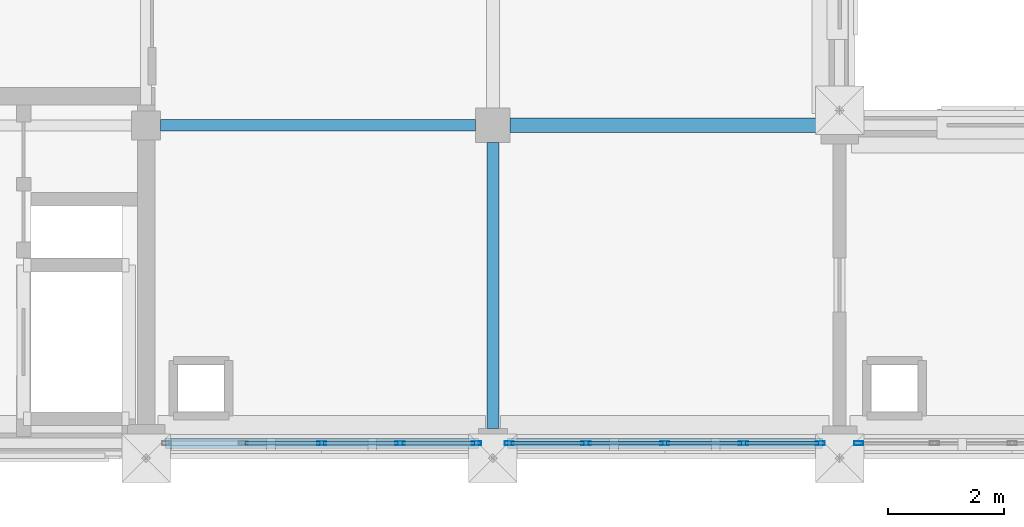
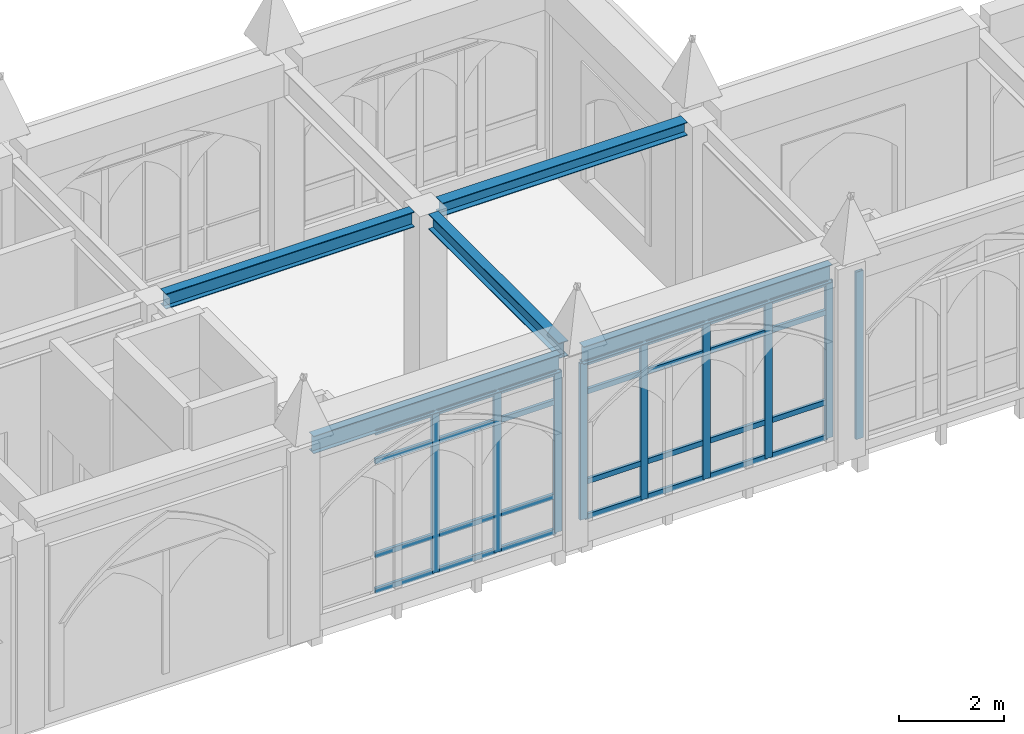
# One storey, part 9 of 143: 37 members, 5 beams, 3 elements without a shape of their own.
"""IFC4 building model written with IfcOpenShell, lengths in metres."""

from ifc_helpers import new_model, si_unit, direction, frame, origin, origin_2d, place, context, subcontext, project, spatial, hollow_rectangle, i_section, extrude, material, layer, layer_set, material_profile, profile_set, type_object, element, aggregate, save


model = new_model("IFC4")

# Units and contexts
model_context = context("Model", 3, precision=1e-05, world=origin(), true_north=direction((0.0, 1.0)))
body_context = subcontext(model_context, "Body", "Model", "MODEL_VIEW")
ifc_project = project(units=[si_unit("LENGTHUNIT", "METRE"), si_unit("AREAUNIT", "SQUARE_METRE"), si_unit("VOLUMEUNIT", "CUBIC_METRE"), si_unit("PLANEANGLEUNIT", "RADIAN"), si_unit("MASSUNIT", "GRAM", prefix="KILO")], contexts=[model_context])

# Site, building, storey
site_placement = place(None, origin())
site = spatial("IfcSite", under=ifc_project, at=site_placement, CompositionType="ELEMENT")
building_placement = place(site_placement, origin())
building = spatial("IfcBuilding", under=site, at=building_placement, Name="Cumevento Cable Car Station", CompositionType="ELEMENT")
storey_placement = place(building_placement, frame((0.0, 0.0, 9.0)))
storey = spatial("IfcBuildingStorey", under=building, at=storey_placement, Name="L03", CompositionType="ELEMENT", Elevation=9.0)

# Curtain wall, members
ifc_material_1 = material(Name="Anodised Bronze Aluminium AW-6063-T6", Category="aluminium")
ifc_layer_1 = layer(ifc_material_1, 0.18408203125)
ifc_layer_set_1 = layer_set([ifc_layer_1], Name="Anodised Bronze Aluminium AW-6063-T6")
curtain_wall_type_1 = type_object("IfcCurtainWallType", Name="Lancet Curtain Wall CW-05 1210", PredefinedType="NOTDEFINED", material=ifc_layer_set_1)
curtain_wall_1_placement = place(storey_placement, origin())
curtain_wall_1 = element("IfcCurtainWall", 1, at=curtain_wall_1_placement, inside=storey, type_object=curtain_wall_type_1, Name="Lancet Curtain Wall CW-05 L03 #68", PredefinedType="NOTDEFINED")
ifc_material_2 = material(Name="Anodised Bronze Aluminium AW-6063-T6", Category="aluminium")
ifc_material_profile_1 = material_profile(ifc_material_2, hollow_rectangle(XDim=0.06494140625, YDim=0.159912109375, WallThickness=0.00390625, at=origin_2d()), Name="ALUM65x160x4")
ifc_profile_set_1 = profile_set([ifc_material_profile_1], Name="Anodised Bronze Aluminium AW-6063-T6")
member_type_1 = type_object("IfcMemberType", Name="Curtain Mullion CWM-01 ALUM65x160x4", PredefinedType="MULLION", material=ifc_profile_set_1)
member_1_placement = place(storey_placement, frame((39.717529296875, 4.0, 0.360107421875), z_axis=(0.0, 0.0, 1.0), x_axis=(0.0, -1.0, 0.0)))
member_1 = element("IfcMember", 2, at=member_1_placement, type_object=member_type_1, Name="CW-05 mullion 1", PredefinedType="MULLION", context=body_context, shape_type="SweptSolid", body=[
    extrude(hollow_rectangle(XDim=0.06494140625, YDim=0.159912109375, WallThickness=0.00390625, at=origin_2d()), origin(), (0.0, 0.0, 1.0), 3.73291015625),
])
member_2_placement = place(storey_placement, frame((38.393798828125, 4.0, 0.360107421875), z_axis=(0.0, 0.0, 1.0), x_axis=(0.0, -1.0, 0.0)))
member_2 = element("IfcMember", 3, at=member_2_placement, type_object=member_type_1, Name="CW-05 mullion 2", PredefinedType="MULLION", context=body_context, shape_type="SweptSolid", body=[
    extrude(hollow_rectangle(XDim=0.06494140625, YDim=0.159912109375, WallThickness=0.00390625, at=origin_2d()), origin(), (0.0, 0.0, 1.0), 3.73291015625),
])
member_3_placement = place(storey_placement, frame((37.03759765625, 4.0, 0.360107421875), z_axis=(0.0, 0.0, 1.0), x_axis=(0.0, -1.0, 0.0)))
member_3 = element("IfcMember", 4, at=member_3_placement, type_object=member_type_1, Name="CW-05 mullion 3", PredefinedType="MULLION", context=body_context, shape_type="SweptSolid", body=[
    extrude(hollow_rectangle(XDim=0.06494140625, YDim=0.159912109375, WallThickness=0.00390625, at=origin_2d()), origin(), (0.0, 0.0, 1.0), 3.73291015625),
])

ifc_material_3 = material(Name="Anodised Bronze Aluminium AW-6063-T6", Category="aluminium")
ifc_layer_2 = layer(ifc_material_3, 0.196044921875)
ifc_layer_set_2 = layer_set([ifc_layer_2], Name="Anodised Bronze Aluminium AW-6063-T6")
curtain_wall_type_2 = type_object("IfcCurtainWallType", Name="Lancet Curtain Wall CW-07 1290", PredefinedType="NOTDEFINED", material=ifc_layer_set_2)
curtain_wall_2_placement = place(storey_placement, origin())
curtain_wall_2 = element("IfcCurtainWall", 5, at=curtain_wall_2_placement, inside=storey, type_object=curtain_wall_type_2, Name="Lancet Curtain Wall CW-07 L03 #70", PredefinedType="NOTDEFINED")
member_4_placement = place(storey_placement, frame((45.66748046875, 4.0, 0.4599609375), z_axis=(0.0, 0.0, 1.0), x_axis=(0.0, -1.0, 0.0)))
member_4 = element("IfcMember", 6, at=member_4_placement, type_object=member_type_1, Name="CW-07 mullion 1", PredefinedType="MULLION", context=body_context, shape_type="SweptSolid", body=[
    extrude(hollow_rectangle(XDim=0.06494140625, YDim=0.159912109375, WallThickness=0.00390625, at=origin_2d()), origin(), (0.0, 0.0, 1.0), 3.633056640625),
])
member_5_placement = place(storey_placement, frame((44.33740234375, 4.0, 0.4599609375), z_axis=(0.0, 0.0, 1.0), x_axis=(0.0, -1.0, 0.0)))
member_5 = element("IfcMember", 7, at=member_5_placement, type_object=member_type_1, Name="CW-07 mullion 2", PredefinedType="MULLION", context=body_context, shape_type="SweptSolid", body=[
    extrude(hollow_rectangle(XDim=0.06494140625, YDim=0.159912109375, WallThickness=0.00390625, at=origin_2d()), origin(), (0.0, 0.0, 1.0), 3.633056640625),
])
member_6_placement = place(storey_placement, frame((42.97509765625, 4.0, 0.4599609375), z_axis=(0.0, 0.0, 1.0), x_axis=(0.0, -1.0, 0.0)))
member_6 = element("IfcMember", 8, at=member_6_placement, type_object=member_type_1, Name="CW-07 mullion 3", PredefinedType="MULLION", context=body_context, shape_type="SweptSolid", body=[
    extrude(hollow_rectangle(XDim=0.06494140625, YDim=0.159912109375, WallThickness=0.00390625, at=origin_2d()), origin(), (0.0, 0.0, 1.0), 3.633056640625),
])
member_7_placement = place(storey_placement, frame((41.612548828125, 4.0, 0.4599609375), z_axis=(0.0, 0.0, 1.0), x_axis=(0.0, -1.0, 0.0)))
member_7 = element("IfcMember", 9, at=member_7_placement, type_object=member_type_1, Name="CW-07 mullion 4", PredefinedType="MULLION", context=body_context, shape_type="SweptSolid", body=[
    extrude(hollow_rectangle(XDim=0.06494140625, YDim=0.159912109375, WallThickness=0.00390625, at=origin_2d()), origin(), (0.0, 0.0, 1.0), 3.633056640625),
])
member_8_placement = place(storey_placement, frame((40.282470703125, 4.0, 0.4599609375), z_axis=(0.0, 0.0, 1.0), x_axis=(0.0, -1.0, 0.0)))
member_8 = element("IfcMember", 10, at=member_8_placement, type_object=member_type_1, Name="CW-07 mullion 5", PredefinedType="MULLION", context=body_context, shape_type="SweptSolid", body=[
    extrude(hollow_rectangle(XDim=0.06494140625, YDim=0.159912109375, WallThickness=0.00390625, at=origin_2d()), origin(), (0.0, 0.0, 1.0), 3.633056640625),
])

# Curtain wall, member
ifc_material_4 = material(Name="Anodised Bronze Aluminium AW-6063-T6", Category="aluminium")
ifc_layer_3 = layer(ifc_material_4, 0.214111328125)
ifc_layer_set_3 = layer_set([ifc_layer_3], Name="Anodised Bronze Aluminium AW-6063-T6")
curtain_wall_type_3 = type_object("IfcCurtainWallType", Name="Lancet Curtain Wall CW-10 1410", PredefinedType="NOTDEFINED", material=ifc_layer_set_3)
curtain_wall_3_placement = place(storey_placement, origin())
curtain_wall_3 = element("IfcCurtainWall", 11, at=curtain_wall_3_placement, inside=storey, type_object=curtain_wall_type_3, Name="Lancet Curtain Wall CW-10 L03 #73", PredefinedType="NOTDEFINED")
member_9_placement = place(storey_placement, frame((46.33251953125, 4.0, 0.2099609375), z_axis=(0.0, 0.0, 1.0), x_axis=(0.0, -1.0, 0.0)))
member_9 = element("IfcMember", 12, at=member_9_placement, type_object=member_type_1, Name="CW-10 mullion 5", PredefinedType="MULLION", context=body_context, shape_type="SweptSolid", body=[
    extrude(hollow_rectangle(XDim=0.06494140625, YDim=0.159912109375, WallThickness=0.00390625, at=origin_2d()), origin(), (0.0, 0.0, 1.0), 3.883056640625),
])
aggregate(curtain_wall_3, [member_9])

# Member
ifc_material_5 = material(Name="Anodised Bronze Aluminium AW-6063-T6", Category="aluminium")
ifc_material_profile_2 = material_profile(ifc_material_5, hollow_rectangle(XDim=0.06494140625, YDim=0.1201171875, WallThickness=0.00390625, at=origin_2d()), Name="ALUT65x120x4")
ifc_profile_set_2 = profile_set([ifc_material_profile_2], Name="Anodised Bronze Aluminium AW-6063-T6")
member_type_2 = type_object("IfcMemberType", Name="Curtain Transom CWT-01 ALUT65x120x4", PredefinedType="USERDEFINED", material=ifc_profile_set_2)
member_10_placement = place(storey_placement, frame((39.68505859375, 4.0, 0.392578125), z_axis=(-1.0, 0.0, 0.0), x_axis=(0.0, -1.0, 0.0)))
member_10 = element("IfcMember", 13, at=member_10_placement, type_object=member_type_2, Name="CW-05 transom 1.1", ObjectType="TRANSOM", PredefinedType="USERDEFINED", context=body_context, shape_type="SweptSolid", body=[
    extrude(hollow_rectangle(XDim=0.06494140625, YDim=0.1201171875, WallThickness=0.00390625, at=origin_2d()), origin(), (0.0, 0.0, 1.0), 1.2587890625),
])

member_11_placement = place(storey_placement, frame((39.68505859375, 4.0, 1.2099609375), z_axis=(-1.0, 0.0, 0.0), x_axis=(0.0, -1.0, 0.0)))
member_11 = element("IfcMember", 14, at=member_11_placement, type_object=member_type_2, Name="CW-05 transom 1.2", ObjectType="TRANSOM", PredefinedType="USERDEFINED", context=body_context, shape_type="SweptSolid", body=[
    extrude(hollow_rectangle(XDim=0.06494140625, YDim=0.1201171875, WallThickness=0.00390625, at=origin_2d()), origin(), (0.0, 0.0, 1.0), 1.2587890625),
])

member_12_placement = place(storey_placement, frame((39.68505859375, 4.0, 3.39306640625), z_axis=(-1.0, 0.0, 0.0), x_axis=(0.0, -1.0, 0.0)))
member_12 = element("IfcMember", 15, at=member_12_placement, type_object=member_type_2, Name="CW-05 transom 1.3", ObjectType="TRANSOM", PredefinedType="USERDEFINED", context=body_context, shape_type="SweptSolid", body=[
    extrude(hollow_rectangle(XDim=0.06494140625, YDim=0.1201171875, WallThickness=0.00390625, at=origin_2d()), origin(), (0.0, 0.0, 1.0), 1.2587890625),
])

member_13_placement = place(storey_placement, frame((39.68505859375, 4.0, 4.060546875), z_axis=(-1.0, 0.0, 0.0), x_axis=(0.0, -1.0, 0.0)))
member_13 = element("IfcMember", 16, at=member_13_placement, type_object=member_type_2, Name="CW-05 transom 1.4", ObjectType="TRANSOM", PredefinedType="USERDEFINED", context=body_context, shape_type="SweptSolid", body=[
    extrude(hollow_rectangle(XDim=0.06494140625, YDim=0.1201171875, WallThickness=0.00390625, at=origin_2d()), origin(), (0.0, 0.0, 1.0), 1.2587890625),
])

member_14_placement = place(storey_placement, frame((38.361328125, 4.0, 0.392578125), z_axis=(-1.0, 0.0, 0.0), x_axis=(0.0, -1.0, 0.0)))
member_14 = element("IfcMember", 17, at=member_14_placement, type_object=member_type_2, Name="CW-05 transom 2.1", ObjectType="TRANSOM", PredefinedType="USERDEFINED", context=body_context, shape_type="SweptSolid", body=[
    extrude(hollow_rectangle(XDim=0.06494140625, YDim=0.1201171875, WallThickness=0.00390625, at=origin_2d()), origin(), (0.0, 0.0, 1.0), 1.291259765625),
])

member_15_placement = place(storey_placement, frame((38.361328125, 4.0, 1.2099609375), z_axis=(-1.0, 0.0, 0.0), x_axis=(0.0, -1.0, 0.0)))
member_15 = element("IfcMember", 18, at=member_15_placement, type_object=member_type_2, Name="CW-05 transom 2.2", ObjectType="TRANSOM", PredefinedType="USERDEFINED", context=body_context, shape_type="SweptSolid", body=[
    extrude(hollow_rectangle(XDim=0.06494140625, YDim=0.1201171875, WallThickness=0.00390625, at=origin_2d()), origin(), (0.0, 0.0, 1.0), 1.291259765625),
])

member_16_placement = place(storey_placement, frame((38.361328125, 4.0, 3.39306640625), z_axis=(-1.0, 0.0, 0.0), x_axis=(0.0, -1.0, 0.0)))
member_16 = element("IfcMember", 19, at=member_16_placement, type_object=member_type_2, Name="CW-05 transom 2.3", ObjectType="TRANSOM", PredefinedType="USERDEFINED", context=body_context, shape_type="SweptSolid", body=[
    extrude(hollow_rectangle(XDim=0.06494140625, YDim=0.1201171875, WallThickness=0.00390625, at=origin_2d()), origin(), (0.0, 0.0, 1.0), 1.291259765625),
])

member_17_placement = place(storey_placement, frame((38.361328125, 4.0, 4.060546875), z_axis=(-1.0, 0.0, 0.0), x_axis=(0.0, -1.0, 0.0)))
member_17 = element("IfcMember", 20, at=member_17_placement, type_object=member_type_2, Name="CW-05 transom 2.4", ObjectType="TRANSOM", PredefinedType="USERDEFINED", context=body_context, shape_type="SweptSolid", body=[
    extrude(hollow_rectangle(XDim=0.06494140625, YDim=0.1201171875, WallThickness=0.00390625, at=origin_2d()), origin(), (0.0, 0.0, 1.0), 1.291259765625),
])

member_18_placement = place(storey_placement, frame((37.0048828125, 4.0, 0.392578125), z_axis=(-1.0, 0.0, 0.0), x_axis=(0.0, -1.0, 0.0)))
member_18 = element("IfcMember", 21, at=member_18_placement, type_object=member_type_2, Name="CW-05 transom 3.1", ObjectType="TRANSOM", PredefinedType="USERDEFINED", context=body_context, shape_type="SweptSolid", body=[
    extrude(hollow_rectangle(XDim=0.06494140625, YDim=0.1201171875, WallThickness=0.00390625, at=origin_2d()), origin(), (0.0, 0.0, 1.0), 1.291015625),
])

member_19_placement = place(storey_placement, frame((37.0048828125, 4.0, 1.2099609375), z_axis=(-1.0, 0.0, 0.0), x_axis=(0.0, -1.0, 0.0)))
member_19 = element("IfcMember", 22, at=member_19_placement, type_object=member_type_2, Name="CW-05 transom 3.2", ObjectType="TRANSOM", PredefinedType="USERDEFINED", context=body_context, shape_type="SweptSolid", body=[
    extrude(hollow_rectangle(XDim=0.06494140625, YDim=0.1201171875, WallThickness=0.00390625, at=origin_2d()), origin(), (0.0, 0.0, 1.0), 1.291015625),
])

member_20_placement = place(storey_placement, frame((37.0048828125, 4.0, 3.39306640625), z_axis=(-1.0, 0.0, 0.0), x_axis=(0.0, -1.0, 0.0)))
member_20 = element("IfcMember", 23, at=member_20_placement, type_object=member_type_2, Name="CW-05 transom 3.3", ObjectType="TRANSOM", PredefinedType="USERDEFINED", context=body_context, shape_type="SweptSolid", body=[
    extrude(hollow_rectangle(XDim=0.06494140625, YDim=0.1201171875, WallThickness=0.00390625, at=origin_2d()), origin(), (0.0, 0.0, 1.0), 1.291015625),
])

member_21_placement = place(storey_placement, frame((37.0048828125, 4.0, 4.060546875), z_axis=(-1.0, 0.0, 0.0), x_axis=(0.0, -1.0, 0.0)))
member_21 = element("IfcMember", 24, at=member_21_placement, type_object=member_type_2, Name="CW-05 transom 3.4", ObjectType="TRANSOM", PredefinedType="USERDEFINED", context=body_context, shape_type="SweptSolid", body=[
    extrude(hollow_rectangle(XDim=0.06494140625, YDim=0.1201171875, WallThickness=0.00390625, at=origin_2d()), origin(), (0.0, 0.0, 1.0), 1.291015625),
])

aggregate(curtain_wall_1, [member_1, member_2, member_3, member_10, member_11, member_12, member_13, member_14, member_15, member_16, member_17, member_18, member_19, member_20, member_21])

member_22_placement = place(storey_placement, frame((45.635009765625, 4.0, 0.492431640625), z_axis=(-1.0, 0.0, 0.0), x_axis=(0.0, -1.0, 0.0)))
member_22 = element("IfcMember", 25, at=member_22_placement, type_object=member_type_2, Name="CW-07 transom 1.1", ObjectType="TRANSOM", PredefinedType="USERDEFINED", context=body_context, shape_type="SweptSolid", body=[
    extrude(hollow_rectangle(XDim=0.06494140625, YDim=0.1201171875, WallThickness=0.00390625, at=origin_2d()), origin(), (0.0, 0.0, 1.0), 1.264892578125),
])

member_23_placement = place(storey_placement, frame((45.635009765625, 4.0, 1.31005859375), z_axis=(-1.0, 0.0, 0.0), x_axis=(0.0, -1.0, 0.0)))
member_23 = element("IfcMember", 26, at=member_23_placement, type_object=member_type_2, Name="CW-07 transom 1.2", ObjectType="TRANSOM", PredefinedType="USERDEFINED", context=body_context, shape_type="SweptSolid", body=[
    extrude(hollow_rectangle(XDim=0.06494140625, YDim=0.1201171875, WallThickness=0.00390625, at=origin_2d()), origin(), (0.0, 0.0, 1.0), 1.264892578125),
])

member_24_placement = place(storey_placement, frame((45.635009765625, 4.0, 3.39306640625), z_axis=(-1.0, 0.0, 0.0), x_axis=(0.0, -1.0, 0.0)))
member_24 = element("IfcMember", 27, at=member_24_placement, type_object=member_type_2, Name="CW-07 transom 1.3", ObjectType="TRANSOM", PredefinedType="USERDEFINED", context=body_context, shape_type="SweptSolid", body=[
    extrude(hollow_rectangle(XDim=0.06494140625, YDim=0.1201171875, WallThickness=0.00390625, at=origin_2d()), origin(), (0.0, 0.0, 1.0), 1.264892578125),
])

member_25_placement = place(storey_placement, frame((45.635009765625, 4.0, 4.060546875), z_axis=(-1.0, 0.0, 0.0), x_axis=(0.0, -1.0, 0.0)))
member_25 = element("IfcMember", 28, at=member_25_placement, type_object=member_type_2, Name="CW-07 transom 1.4", ObjectType="TRANSOM", PredefinedType="USERDEFINED", context=body_context, shape_type="SweptSolid", body=[
    extrude(hollow_rectangle(XDim=0.06494140625, YDim=0.1201171875, WallThickness=0.00390625, at=origin_2d()), origin(), (0.0, 0.0, 1.0), 1.264892578125),
])

member_26_placement = place(storey_placement, frame((44.304931640625, 4.0, 0.492431640625), z_axis=(-1.0, 0.0, 0.0), x_axis=(0.0, -1.0, 0.0)))
member_26 = element("IfcMember", 29, at=member_26_placement, type_object=member_type_2, Name="CW-07 transom 2.1", ObjectType="TRANSOM", PredefinedType="USERDEFINED", context=body_context, shape_type="SweptSolid", body=[
    extrude(hollow_rectangle(XDim=0.06494140625, YDim=0.1201171875, WallThickness=0.00390625, at=origin_2d()), origin(), (0.0, 0.0, 1.0), 1.29736328125),
])

member_27_placement = place(storey_placement, frame((44.304931640625, 4.0, 1.31005859375), z_axis=(-1.0, 0.0, 0.0), x_axis=(0.0, -1.0, 0.0)))
member_27 = element("IfcMember", 30, at=member_27_placement, type_object=member_type_2, Name="CW-07 transom 2.2", ObjectType="TRANSOM", PredefinedType="USERDEFINED", context=body_context, shape_type="SweptSolid", body=[
    extrude(hollow_rectangle(XDim=0.06494140625, YDim=0.1201171875, WallThickness=0.00390625, at=origin_2d()), origin(), (0.0, 0.0, 1.0), 1.29736328125),
])

member_28_placement = place(storey_placement, frame((44.304931640625, 4.0, 3.39306640625), z_axis=(-1.0, 0.0, 0.0), x_axis=(0.0, -1.0, 0.0)))
member_28 = element("IfcMember", 31, at=member_28_placement, type_object=member_type_2, Name="CW-07 transom 2.3", ObjectType="TRANSOM", PredefinedType="USERDEFINED", context=body_context, shape_type="SweptSolid", body=[
    extrude(hollow_rectangle(XDim=0.06494140625, YDim=0.1201171875, WallThickness=0.00390625, at=origin_2d()), origin(), (0.0, 0.0, 1.0), 1.29736328125),
])

member_29_placement = place(storey_placement, frame((44.304931640625, 4.0, 4.060546875), z_axis=(-1.0, 0.0, 0.0), x_axis=(0.0, -1.0, 0.0)))
member_29 = element("IfcMember", 32, at=member_29_placement, type_object=member_type_2, Name="CW-07 transom 2.4", ObjectType="TRANSOM", PredefinedType="USERDEFINED", context=body_context, shape_type="SweptSolid", body=[
    extrude(hollow_rectangle(XDim=0.06494140625, YDim=0.1201171875, WallThickness=0.00390625, at=origin_2d()), origin(), (0.0, 0.0, 1.0), 1.29736328125),
])

member_30_placement = place(storey_placement, frame((42.9423828125, 4.0, 0.492431640625), z_axis=(-1.0, 0.0, 0.0), x_axis=(0.0, -1.0, 0.0)))
member_30 = element("IfcMember", 33, at=member_30_placement, type_object=member_type_2, Name="CW-07 transom 3.1", ObjectType="TRANSOM", PredefinedType="USERDEFINED", context=body_context, shape_type="SweptSolid", body=[
    extrude(hollow_rectangle(XDim=0.06494140625, YDim=0.1201171875, WallThickness=0.00390625, at=origin_2d()), origin(), (0.0, 0.0, 1.0), 1.29736328125),
])

member_31_placement = place(storey_placement, frame((42.9423828125, 4.0, 1.31005859375), z_axis=(-1.0, 0.0, 0.0), x_axis=(0.0, -1.0, 0.0)))
member_31 = element("IfcMember", 34, at=member_31_placement, type_object=member_type_2, Name="CW-07 transom 3.2", ObjectType="TRANSOM", PredefinedType="USERDEFINED", context=body_context, shape_type="SweptSolid", body=[
    extrude(hollow_rectangle(XDim=0.06494140625, YDim=0.1201171875, WallThickness=0.00390625, at=origin_2d()), origin(), (0.0, 0.0, 1.0), 1.29736328125),
])

member_32_placement = place(storey_placement, frame((42.9423828125, 4.0, 3.39306640625), z_axis=(-1.0, 0.0, 0.0), x_axis=(0.0, -1.0, 0.0)))
member_32 = element("IfcMember", 35, at=member_32_placement, type_object=member_type_2, Name="CW-07 transom 3.3", ObjectType="TRANSOM", PredefinedType="USERDEFINED", context=body_context, shape_type="SweptSolid", body=[
    extrude(hollow_rectangle(XDim=0.06494140625, YDim=0.1201171875, WallThickness=0.00390625, at=origin_2d()), origin(), (0.0, 0.0, 1.0), 1.29736328125),
])

member_33_placement = place(storey_placement, frame((42.9423828125, 4.0, 4.060546875), z_axis=(-1.0, 0.0, 0.0), x_axis=(0.0, -1.0, 0.0)))
member_33 = element("IfcMember", 36, at=member_33_placement, type_object=member_type_2, Name="CW-07 transom 3.4", ObjectType="TRANSOM", PredefinedType="USERDEFINED", context=body_context, shape_type="SweptSolid", body=[
    extrude(hollow_rectangle(XDim=0.06494140625, YDim=0.1201171875, WallThickness=0.00390625, at=origin_2d()), origin(), (0.0, 0.0, 1.0), 1.29736328125),
])

member_34_placement = place(storey_placement, frame((41.580078125, 4.0, 0.492431640625), z_axis=(-1.0, 0.0, 0.0), x_axis=(0.0, -1.0, 0.0)))
member_34 = element("IfcMember", 37, at=member_34_placement, type_object=member_type_2, Name="CW-07 transom 4.1", ObjectType="TRANSOM", PredefinedType="USERDEFINED", context=body_context, shape_type="SweptSolid", body=[
    extrude(hollow_rectangle(XDim=0.06494140625, YDim=0.1201171875, WallThickness=0.00390625, at=origin_2d()), origin(), (0.0, 0.0, 1.0), 1.26513671875),
])

member_35_placement = place(storey_placement, frame((41.580078125, 4.0, 1.31005859375), z_axis=(-1.0, 0.0, 0.0), x_axis=(0.0, -1.0, 0.0)))
member_35 = element("IfcMember", 38, at=member_35_placement, type_object=member_type_2, Name="CW-07 transom 4.2", ObjectType="TRANSOM", PredefinedType="USERDEFINED", context=body_context, shape_type="SweptSolid", body=[
    extrude(hollow_rectangle(XDim=0.06494140625, YDim=0.1201171875, WallThickness=0.00390625, at=origin_2d()), origin(), (0.0, 0.0, 1.0), 1.26513671875),
])

member_36_placement = place(storey_placement, frame((41.580078125, 4.0, 3.39306640625), z_axis=(-1.0, 0.0, 0.0), x_axis=(0.0, -1.0, 0.0)))
member_36 = element("IfcMember", 39, at=member_36_placement, type_object=member_type_2, Name="CW-07 transom 4.3", ObjectType="TRANSOM", PredefinedType="USERDEFINED", context=body_context, shape_type="SweptSolid", body=[
    extrude(hollow_rectangle(XDim=0.06494140625, YDim=0.1201171875, WallThickness=0.00390625, at=origin_2d()), origin(), (0.0, 0.0, 1.0), 1.26513671875),
])

member_37_placement = place(storey_placement, frame((41.580078125, 4.0, 4.060546875), z_axis=(-1.0, 0.0, 0.0), x_axis=(0.0, -1.0, 0.0)))
member_37 = element("IfcMember", 40, at=member_37_placement, type_object=member_type_2, Name="CW-07 transom 4.4", ObjectType="TRANSOM", PredefinedType="USERDEFINED", context=body_context, shape_type="SweptSolid", body=[
    extrude(hollow_rectangle(XDim=0.06494140625, YDim=0.1201171875, WallThickness=0.00390625, at=origin_2d()), origin(), (0.0, 0.0, 1.0), 1.26513671875),
])

aggregate(curtain_wall_2, [member_4, member_5, member_6, member_7, member_8, member_22, member_23, member_24, member_25, member_26, member_27, member_28, member_29, member_30, member_31, member_32, member_33, member_34, member_35, member_36, member_37])

# Beams
ifc_material_6 = material(Name="Steel ASTM A572 Grade 50", Category="steel")
ifc_material_profile_3 = material_profile(ifc_material_6, i_section(OverallWidth=0.205078125, OverallDepth=0.35400390625, WebThickness=0.009521484375, FlangeThickness=0.016845703125, at=origin_2d()), Name="W360x79.0")
ifc_profile_set_3 = profile_set([ifc_material_profile_3], Name="Steel ASTM A572 Grade 50")
beam_type_1 = type_object("IfcBeamType", Name="Structural Beam BM-05 W360x79.0", PredefinedType="BEAM", material=ifc_profile_set_3)
beam_1_placement = place(storey_placement, frame((34.25, 9.5, 4.322998046875), z_axis=(1.0, 0.0, 0.0), x_axis=(0.0, 1.0, 0.0)))
element("IfcBeam", 41, at=beam_1_placement, inside=storey, type_object=beam_type_1, Name="Beam BM-05 L03 #930", PredefinedType="BEAM", context=body_context, shape_type="SweptSolid", body=[
    extrude(i_section(OverallWidth=0.205078125, OverallDepth=0.35400390625, WebThickness=0.009521484375, FlangeThickness=0.016845703125, at=origin_2d()), origin(), (0.0, 0.0, 1.0), 5.449951171875),
])
beam_2_placement = place(storey_placement, frame((40.0, 4.25, 4.322998046875), z_axis=(0.0, 1.0, 0.0), x_axis=(-1.0, 0.0, 0.0)))
element("IfcBeam", 42, at=beam_2_placement, inside=storey, type_object=beam_type_1, Name="Beam BM-05 L03 #942", PredefinedType="BEAM", context=body_context, shape_type="SweptSolid", body=[
    extrude(i_section(OverallWidth=0.205078125, OverallDepth=0.35400390625, WebThickness=0.009521484375, FlangeThickness=0.016845703125, at=origin_2d()), origin(), (0.0, 0.0, 1.0), 4.949951171875),
])
ifc_material_7 = material(Name="Steel ASTM A572 Grade 50", Category="steel")
ifc_material_profile_4 = material_profile(ifc_material_7, i_section(OverallWidth=0.25390625, OverallDepth=0.305908203125, WebThickness=0.0087890625, FlangeThickness=0.0146484375, at=origin_2d()), Name="W310x79.0")
ifc_profile_set_4 = profile_set([ifc_material_profile_4], Name="Steel ASTM A572 Grade 50")
beam_type_2 = type_object("IfcBeamType", Name="Structural Beam BM-06 W310x79.0", PredefinedType="BEAM", material=ifc_profile_set_4)
beam_3_placement = place(storey_placement, frame((40.300048828125, 9.5, 4.346923828125), z_axis=(1.0, 0.0, 0.0), x_axis=(0.0, 1.0, 0.0)))
element("IfcBeam", 43, at=beam_3_placement, inside=storey, type_object=beam_type_2, Name="Beam BM-06 L03 #931", PredefinedType="BEAM", context=body_context, shape_type="SweptSolid", body=[
    extrude(i_section(OverallWidth=0.25390625, OverallDepth=0.305908203125, WebThickness=0.0087890625, FlangeThickness=0.0146484375, at=origin_2d()), origin(), (0.0, 0.0, 1.0), 5.375),
])
ifc_material_8 = material(Name="Steel ASTM A572 Grade 50", Category="steel")
ifc_material_profile_5 = material_profile(ifc_material_8, i_section(OverallWidth=0.177978515625, OverallDepth=0.406982421875, WebThickness=0.0078125, FlangeThickness=0.0126953125, at=origin_2d()), Name="W410x60.0")
ifc_profile_set_5 = profile_set([ifc_material_profile_5], Name="Steel ASTM A572 Grade 50")
beam_type_3 = type_object("IfcBeamType", Name="Structural Spandrel SP-01 W410x60.0", PredefinedType="SPANDREL", material=ifc_profile_set_5)
beam_4_placement = place(storey_placement, frame((34.324951171875, 4.0, 4.29638671875), z_axis=(1.0, 0.0, 0.0), x_axis=(0.0, 1.0, 0.0)))
element("IfcBeam", 44, at=beam_4_placement, inside=storey, type_object=beam_type_3, Name="Beam SP-01 L03 #926", PredefinedType="SPANDREL", context=body_context, shape_type="SweptSolid", body=[
    extrude(i_section(OverallWidth=0.177978515625, OverallDepth=0.406982421875, WebThickness=0.0078125, FlangeThickness=0.0126953125, at=origin_2d()), origin(), (0.0, 0.0, 1.0), 5.425048828125),
])
beam_5_placement = place(storey_placement, frame((40.25, 4.0, 4.29638671875), z_axis=(1.0, 0.0, 0.0), x_axis=(0.0, 1.0, 0.0)))
element("IfcBeam", 45, at=beam_5_placement, inside=storey, type_object=beam_type_3, Name="Beam SP-01 L03 #927", PredefinedType="SPANDREL", context=body_context, shape_type="SweptSolid", body=[
    extrude(i_section(OverallWidth=0.177978515625, OverallDepth=0.406982421875, WebThickness=0.0078125, FlangeThickness=0.0126953125, at=origin_2d()), origin(), (0.0, 0.0, 1.0), 5.449951171875),
])

save(model, "model.ifc")
